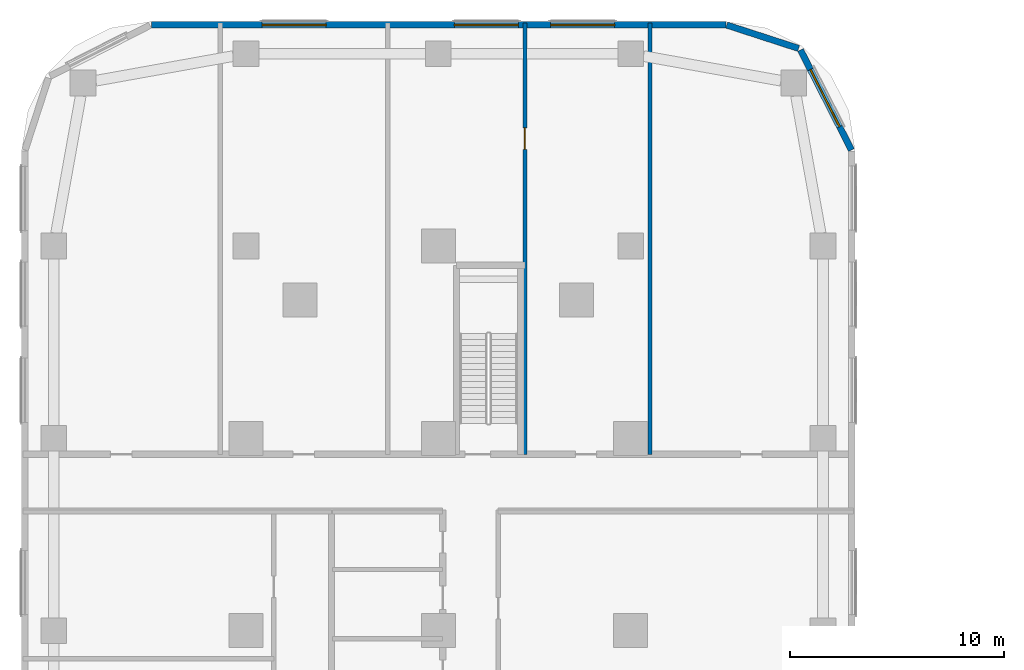
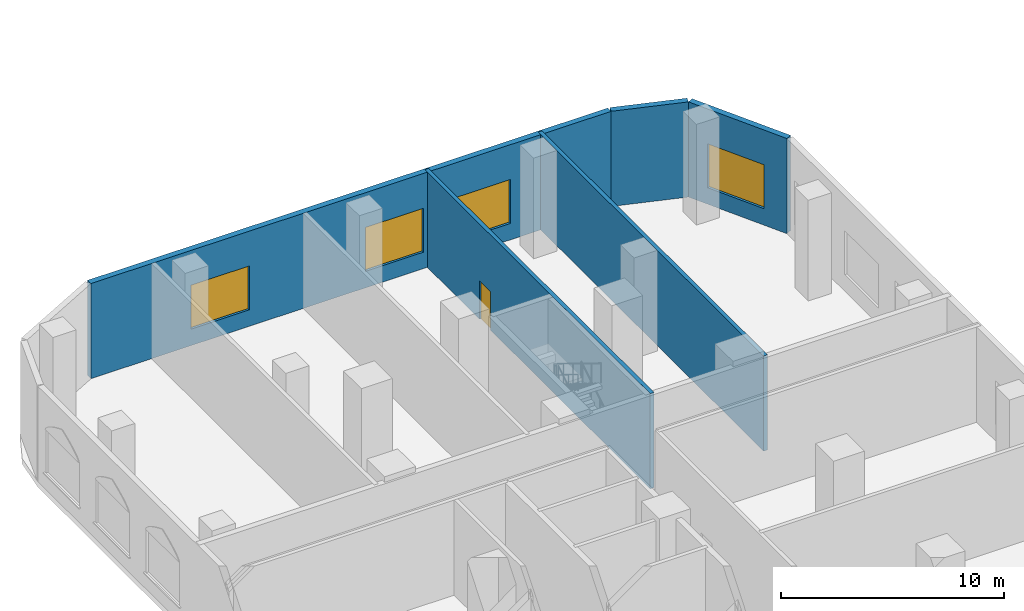
# One storey, part 12 of 31: 5 walls, 4 windows, 1 door, 5 openings.
"""IFC4 building model written with IfcOpenShell, lengths in metres."""

import ifcopenshell
import ifcopenshell.guid

model = None  # the IFC model being written
_history = None  # IfcOwnerHistory: only IFC2X3 demands one
_inside = {}  # id of a spatial element -> (the spatial element, [elements in it])
_under = {}  # id of a project, library or spatial element -> (it, [spatial elements below it])
_declared = {}  # id of a project -> (the project, [libraries it declares])
_typed = {}  # id of a type object -> (the type object, [elements of that type])
_made_of = {}  # id of a material, layer set ... -> (it, [elements and type objects made of it])


def new_model(schema):
    """Start an empty IFC model of exactly this schema.

    Asked for "IFC4X3", IfcOpenShell would pick the latest addendum, in which some entities
    have other attributes; the version numbers below select the first issue.
    IFC2X3 requires an IfcOwnerHistory on every rooted entity: one is made here for all.
    """
    global model, _history
    if schema == "IFC4X3":
        model = ifcopenshell.file(schema_version=(4, 3, 0, 0))
    else:
        model = ifcopenshell.file(schema=schema)
    _inside.clear()
    _under.clear()
    _declared.clear()
    _typed.clear()
    _made_of.clear()
    _history = None
    if model.schema == "IFC2X3":
        org = make("IfcOrganization", Name="unknown")
        user = make(
            "IfcPersonAndOrganization",
            ThePerson=make("IfcPerson", FamilyName="unknown"),
            TheOrganization=org,
        )
        app = make(
            "IfcApplication",
            ApplicationDeveloper=org,
            Version="unknown",
            ApplicationFullName="unknown",
            ApplicationIdentifier="unknown",
        )
        _history = make(
            "IfcOwnerHistory",
            OwningUser=user,
            OwningApplication=app,
            ChangeAction="ADDED",
            CreationDate=0,
        )
    return model


def make(cls, **values):
    """One entity of the class cls with the attributes given. An attribute that is None is left unset."""
    return model.create_entity(
        cls, **{name: value for name, value in values.items() if value is not None}
    )


def rooted(cls, **values):
    """An entity with a GlobalId (a new one), such as an element, a storey or a relation."""
    return make(cls, GlobalId=ifcopenshell.guid.new(), OwnerHistory=_history, **values)


def si_unit(unit_type, name, prefix=None):
    """IfcSIUnit, for example si_unit("LENGTHUNIT", "METRE", prefix="MILLI")."""
    return make("IfcSIUnit", UnitType=unit_type, Prefix=prefix, Name=name)


def assignment(units):
    """IfcUnitAssignment: the units of a project."""
    return None if units is None else make("IfcUnitAssignment", Units=units)


def point(xyz):
    """IfcCartesianPoint."""
    return None if xyz is None else make("IfcCartesianPoint", Coordinates=xyz)


def direction(xyz):
    """IfcDirection."""
    return None if xyz is None else make("IfcDirection", DirectionRatios=xyz)


def frame(location, z_axis=None, x_axis=None):
    """IfcAxis2Placement3D, a coordinate frame: its origin and axes. An axis left out is left unset."""
    return make(
        "IfcAxis2Placement3D",
        Location=point(location),
        Axis=direction(z_axis),
        RefDirection=direction(x_axis),
    )


def frame_2d(location, x_axis=None):
    """IfcAxis2Placement2D, a coordinate frame in the plane: its origin and x axis."""
    return make(
        "IfcAxis2Placement2D", Location=point(location), RefDirection=direction(x_axis)
    )


def origin():
    """The frame at (0, 0, 0) with its axes left unset."""
    return frame((0.0, 0.0, 0.0))


def place(relative_to, where):
    """IfcLocalPlacement: puts the frame where relative to a parent placement (None: the world)."""
    return make(
        "IfcLocalPlacement", PlacementRelTo=relative_to, RelativePlacement=where
    )


def context(
    kind, dimensions, precision=None, world=None, true_north=None, identifier=None
):
    """IfcGeometricRepresentationContext, for example the 3D "Model" context."""
    return make(
        "IfcGeometricRepresentationContext",
        ContextIdentifier=identifier,
        ContextType=kind,
        CoordinateSpaceDimension=dimensions,
        Precision=precision,
        WorldCoordinateSystem=world,
        TrueNorth=true_north,
    )


def subcontext(parent, identifier, kind, view, scale=None):
    """IfcGeometricRepresentationSubContext, for example "Body" below "Model"."""
    return make(
        "IfcGeometricRepresentationSubContext",
        ContextIdentifier=identifier,
        ContextType=kind,
        ParentContext=parent,
        TargetScale=scale,
        TargetView=view,
    )


def project(units=None, contexts=None):
    """IfcProject with its units and contexts."""
    return rooted(
        "IfcProject",
        Name="project",
        RepresentationContexts=contexts,
        UnitsInContext=assignment(units),
    )


def spatial(cls, under=None, at=None, **own):
    """A site, building, storey or space (cls), placed at a placement, below another one or the project."""
    s = rooted(cls, ObjectPlacement=at, **own)
    if under is not None:
        _under.setdefault(under.id(), (under, []))[1].append(s)
    return s


def profile(cls, at=None, kind="AREA", **sizes):
    """A parametric profile (cls). Its sizes go by their IFC names, for example OverallWidth=200.0."""
    return make(cls, ProfileType=kind, Position=at, **sizes)


def rectangle(**sizes):
    """IfcRectangleProfileDef."""
    return profile("IfcRectangleProfileDef", **sizes)


def extrude(swept, where, along, depth):
    """IfcExtrudedAreaSolid: the profile swept, set in the frame where, extruded along a direction by depth."""
    return make(
        "IfcExtrudedAreaSolid",
        SweptArea=swept,
        Position=where,
        ExtrudedDirection=direction(along),
        Depth=depth,
    )


def shape(context_of_items, identifier, shape_type, items):
    """IfcShapeRepresentation: the items that make up one representation, for example the "Body"."""
    return make(
        "IfcShapeRepresentation",
        ContextOfItems=context_of_items,
        RepresentationIdentifier=identifier,
        RepresentationType=shape_type,
        Items=items,
    )


def material(Name=None, Category=None):
    """IfcMaterial."""
    return make("IfcMaterial", Name=Name, Category=Category)


def layer(
    of_material, thickness, ventilated=None, Name=None, Category=None, Priority=None
):
    """IfcMaterialLayer: one layer of a wall or slab, of a material (None: an air gap)."""
    return make(
        "IfcMaterialLayer",
        Material=of_material,
        LayerThickness=thickness,
        IsVentilated=ventilated,
        Name=Name,
        Category=Category,
        Priority=Priority,
    )


def layer_set(layers, Name=None):
    """IfcMaterialLayerSet."""
    return make("IfcMaterialLayerSet", MaterialLayers=layers, LayerSetName=Name)


def made_of(thing, what):
    """Note that an element or type object is made of a material, layer set ...; save() writes the relation."""
    if what is not None:
        _made_of.setdefault(what.id(), (what, []))[1].append(thing)
    return thing


def type_object(cls, material=None, **own):
    """A type object (cls), such as IfcWallType, which elements share."""
    return made_of(rooted(cls, **own), material)


def element(
    cls,
    number,
    at=None,
    inside=None,
    cuts=None,
    type_object=None,
    material=None,
    context=None,
    identifier="Body",
    shape_type=None,
    held_by="IfcProductDefinitionShape",
    body=None,
    shapes=None,
    **own,
):
    """One element of the class cls, such as IfcWall. Its Tag is "e" and its number.

    at: its placement. inside: the storey or other place that contains it. cuts: it is an
    opening in that element (IfcRelVoidsElement). A single representation is given by context,
    identifier, shape_type and body (its items); several are given by shapes. held_by: the class
    of the entity that holds the representations. save() writes the other relations.
    """
    e = rooted(cls, Tag="e%d" % number, ObjectPlacement=at, **own)
    if body is not None:
        shapes = [shape(context, identifier, shape_type, body)]
    if shapes is not None:
        e.Representation = make(held_by, Representations=shapes)
    if inside is not None:
        _inside.setdefault(inside.id(), (inside, []))[1].append(e)
    if cuts is not None:
        rooted(
            "IfcRelVoidsElement", RelatingBuildingElement=cuts, RelatedOpeningElement=e
        )
    if type_object is not None:
        _typed.setdefault(type_object.id(), (type_object, []))[1].append(e)
    return made_of(e, material)


def fill(opening, filler):
    """IfcRelFillsElement: the door or window that sits in an opening."""
    return rooted(
        "IfcRelFillsElement",
        RelatingOpeningElement=opening,
        RelatedBuildingElement=filler,
    )


def aggregate(whole, parts):
    """IfcRelAggregates: a whole, such as a stair, and the parts it consists of."""
    return rooted("IfcRelAggregates", RelatingObject=whole, RelatedObjects=parts)


def save(model, path):
    """Write the relations noted so far, then the file.

    IfcRelAggregates (storeys below a building ...), IfcRelContainedInSpatialStructure (elements
    in a storey), IfcRelDefinesByType, IfcRelAssociatesMaterial and IfcRelDeclares: one each for
    every whole, place, type object, material and project.
    """
    for whole, parts in _under.values():
        aggregate(whole, parts)
    for where, things in _inside.values():
        rooted(
            "IfcRelContainedInSpatialStructure",
            RelatedElements=things,
            RelatingStructure=where,
        )
    for kind, things in _typed.values():
        rooted("IfcRelDefinesByType", RelatedObjects=things, RelatingType=kind)
    for what, things in _made_of.values():
        rooted("IfcRelAssociatesMaterial", RelatedObjects=things, RelatingMaterial=what)
    for by, libraries in _declared.values():
        rooted("IfcRelDeclares", RelatingContext=by, RelatedDefinitions=libraries)
    model.write(path)


model = new_model("IFC4")

# Units and contexts
model_context = context("Model", 3, precision=1e-05, world=origin(), true_north=direction((0.0, 1.0)))
body_context = subcontext(model_context, "Body", "Model", "MODEL_VIEW")
ifc_project = project(units=[si_unit("LENGTHUNIT", "METRE"), si_unit("AREAUNIT", "SQUARE_METRE"), si_unit("VOLUMEUNIT", "CUBIC_METRE"), si_unit("PLANEANGLEUNIT", "RADIAN"), si_unit("MASSUNIT", "GRAM", prefix="KILO")], contexts=[model_context])

# Site, building, storey
site_placement = place(None, origin())
site = spatial("IfcSite", under=ifc_project, at=site_placement, CompositionType="ELEMENT")
building_placement = place(site_placement, origin())
building = spatial("IfcBuilding", under=site, at=building_placement, Name="Ogive Portal Towers", CompositionType="ELEMENT")
storey_placement = place(building_placement, frame((0.0, 0.0, 8.0)))
storey = spatial("IfcBuildingStorey", under=building, at=storey_placement, Name="L01", CompositionType="ELEMENT", Elevation=8.0)

# Wall, opening, window
ifc_material_1 = material(Name="Limestone cladding on lightweight block wall", Category="masonry")
ifc_layer_1 = layer(ifc_material_1, 0.300048828125)
ifc_layer_set_1 = layer_set([ifc_layer_1], Name="EXTERNAL WALL 300 STONE")
wall_type_1 = type_object("IfcWallType", Name="EXTERNAL WALL 300 STONE", PredefinedType="SOLIDWALL", material=ifc_layer_set_1)
wall_1_placement = place(storey_placement, frame((59.833740234375, 79.99609375, 0.0), z_axis=(0.0, 0.0, 1.0), x_axis=(-0.454006562826, 0.890998339455, 0.0)))
wall_1 = element("IfcWall", 1, at=wall_1_placement, inside=storey, type_object=wall_type_1, Name="A:L01:f12:w0", PredefinedType="SOLIDWALL", context=body_context, shape_type="SweptSolid", body=[
    extrude(rectangle(XDim=5.251708984375, YDim=0.300048828125, at=frame_2d((2.6259765625, 0.0))), origin(), (0.0, 0.0, 1.0), 5.199951171875),
])
opening_1_placement = place(wall_1_placement, frame((1.223876953125, 0.0, 0.89990234375)))
opening_1 = element("IfcOpeningElement", 2, at=opening_1_placement, cuts=wall_1, Name="Opening WN3", PredefinedType="OPENING", context=body_context, shape_type="SweptSolid", body=[
    extrude(rectangle(XDim=3.0, YDim=2.39990234375, at=frame_2d((1.5, 1.199951171875))), frame((0.0, 0.16015625, 0.0), z_axis=(0.0, -1.0, 0.0), x_axis=(1.0, 0.0, 0.0)), (0.0, 0.0, 1.0), 0.320068359375),
])
ifc_material_2 = material(Name="Glass, clear low-iron insulated glazing", Category="glass")
window_type = type_object("IfcWindowType", Name="WINDOW PODIUM 3000x2400", PartitioningType="SINGLE_PANEL", PredefinedType="WINDOW", material=ifc_material_2)
window_1_placement = place(opening_1_placement, origin())
window_1 = element("IfcWindow", 3, at=window_1_placement, inside=storey, type_object=window_type, Name="A:L01:f12:w0:o0", OverallHeight=2.39990234375, OverallWidth=3.0, PartitioningType="SINGLE_PANEL", PredefinedType="WINDOW", context=body_context, shape_type="SweptSolid", body=[
    extrude(rectangle(XDim=3.0, YDim=2.39990234375, at=frame_2d((1.5, 1.199951171875))), frame((0.0, 0.030029296875, 0.0), z_axis=(0.0, -1.0, 0.0), x_axis=(1.0, 0.0, 0.0)), (0.0, 0.0, 1.0), 0.06005859375),
])
fill(opening_1, window_1)

# Wall
wall_2_placement = place(storey_placement, frame((57.362060546875, 84.749755859375, 0.0), z_axis=(0.0, 0.0, 1.0), x_axis=(-0.951038127287, 0.309073584194, 0.0)))
element("IfcWall", 4, at=wall_2_placement, inside=storey, type_object=wall_type_1, Name="A:L01:f13:w0", PredefinedType="SOLIDWALL", context=body_context, shape_type="SweptSolid", body=[
    extrude(rectangle(XDim=3.536376953125, YDim=0.300048828125, at=frame_2d((1.76806640625, 0.0))), origin(), (0.0, 0.0, 1.0), 5.199951171875),
])

# Wall, openings, windows
wall_3_placement = place(storey_placement, frame((53.952392578125, 85.85009765625, 0.0), z_axis=(0.0, 0.0, 1.0), x_axis=(-1.0, 0.0, 0.0)))
wall_3 = element("IfcWall", 5, at=wall_3_placement, inside=storey, type_object=wall_type_1, Name="A:L01:f14:w0", PredefinedType="SOLIDWALL", context=body_context, shape_type="SweptSolid", body=[
    extrude(rectangle(XDim=26.88037109375, YDim=0.300048828125, at=frame_2d((13.440185546875, 0.0))), origin(), (0.0, 0.0, 1.0), 5.199951171875),
])
opening_2_placement = place(wall_3_placement, frame((5.202392578125, 0.0, 0.89990234375)))
opening_2 = element("IfcOpeningElement", 6, at=opening_2_placement, cuts=wall_3, Name="Opening WN3", PredefinedType="OPENING", context=body_context, shape_type="SweptSolid", body=[
    extrude(rectangle(XDim=3.0, YDim=2.39990234375, at=frame_2d((1.5, 1.199951171875))), frame((0.0, 0.16015625, 0.0), z_axis=(0.0, -1.0, 0.0), x_axis=(1.0, 0.0, 0.0)), (0.0, 0.0, 1.0), 0.320068359375),
])
opening_3_placement = place(wall_3_placement, frame((9.702392578125, 0.0, 0.89990234375)))
opening_3 = element("IfcOpeningElement", 7, at=opening_3_placement, cuts=wall_3, Name="Opening WN3", PredefinedType="OPENING", context=body_context, shape_type="SweptSolid", body=[
    extrude(rectangle(XDim=3.0, YDim=2.39990234375, at=frame_2d((1.5, 1.199951171875))), frame((0.0, 0.16015625, 0.0), z_axis=(0.0, -1.0, 0.0), x_axis=(1.0, 0.0, 0.0)), (0.0, 0.0, 1.0), 0.320068359375),
])
opening_4_placement = place(wall_3_placement, frame((18.702392578125, 0.0, 0.89990234375)))
opening_4 = element("IfcOpeningElement", 8, at=opening_4_placement, cuts=wall_3, Name="Opening WN3", PredefinedType="OPENING", context=body_context, shape_type="SweptSolid", body=[
    extrude(rectangle(XDim=3.0, YDim=2.39990234375, at=frame_2d((1.5, 1.199951171875))), frame((0.0, 0.16015625, 0.0), z_axis=(0.0, -1.0, 0.0), x_axis=(1.0, 0.0, 0.0)), (0.0, 0.0, 1.0), 0.320068359375),
])
window_2_placement = place(opening_2_placement, origin())
window_2 = element("IfcWindow", 9, at=window_2_placement, inside=storey, type_object=window_type, Name="A:L01:f14:w0:o1a", OverallHeight=2.39990234375, OverallWidth=3.0, PartitioningType="SINGLE_PANEL", PredefinedType="WINDOW", context=body_context, shape_type="SweptSolid", body=[
    extrude(rectangle(XDim=3.0, YDim=2.39990234375, at=frame_2d((1.5, 1.199951171875))), frame((0.0, 0.030029296875, 0.0), z_axis=(0.0, -1.0, 0.0), x_axis=(1.0, 0.0, 0.0)), (0.0, 0.0, 1.0), 0.06005859375),
])
fill(opening_2, window_2)
window_3_placement = place(opening_3_placement, origin())
window_3 = element("IfcWindow", 10, at=window_3_placement, inside=storey, type_object=window_type, Name="A:L01:f14:w0:o1b", OverallHeight=2.39990234375, OverallWidth=3.0, PartitioningType="SINGLE_PANEL", PredefinedType="WINDOW", context=body_context, shape_type="SweptSolid", body=[
    extrude(rectangle(XDim=3.0, YDim=2.39990234375, at=frame_2d((1.5, 1.199951171875))), frame((0.0, 0.030029296875, 0.0), z_axis=(0.0, -1.0, 0.0), x_axis=(1.0, 0.0, 0.0)), (0.0, 0.0, 1.0), 0.06005859375),
])
fill(opening_3, window_3)
window_4_placement = place(opening_4_placement, origin())
window_4 = element("IfcWindow", 11, at=window_4_placement, inside=storey, type_object=window_type, Name="A:L01:f14:w0:o2b", OverallHeight=2.39990234375, OverallWidth=3.0, PartitioningType="SINGLE_PANEL", PredefinedType="WINDOW", context=body_context, shape_type="SweptSolid", body=[
    extrude(rectangle(XDim=3.0, YDim=2.39990234375, at=frame_2d((1.5, 1.199951171875))), frame((0.0, 0.030029296875, 0.0), z_axis=(0.0, -1.0, 0.0), x_axis=(1.0, 0.0, 0.0)), (0.0, 0.0, 1.0), 0.06005859375),
])
fill(opening_4, window_4)

# Wall, opening, door
ifc_material_3 = material(Name="Gypsum board partition on steel studs", Category="steel")
ifc_layer_2 = layer(ifc_material_3, 0.199951171875)
ifc_layer_set_2 = layer_set([ifc_layer_2], Name="WT-PART-200-EI 60")
wall_type_2 = type_object("IfcWallType", Name="WT-PART-200-EI 60", PredefinedType="PARTITIONING", material=ifc_layer_set_2)
wall_4_placement = place(storey_placement, frame((44.550048828125, 65.75, 0.0), z_axis=(0.0, 0.0, 1.0), x_axis=(0.0, 1.0, 0.0)))
wall_4 = element("IfcWall", 12, at=wall_4_placement, inside=storey, type_object=wall_type_2, Name="Wall L01:w075", PredefinedType="PARTITIONING", context=body_context, shape_type="SweptSolid", body=[
    extrude(rectangle(XDim=20.179931640625, YDim=0.199951171875, at=frame_2d((10.08984375, 0.0))), origin(), (0.0, 0.0, 1.0), 5.199951171875),
])
opening_5_placement = place(wall_4_placement, frame((14.280029296875, 0.0, 0.0)))
opening_5 = element("IfcOpeningElement", 13, at=opening_5_placement, cuts=wall_4, Name="Opening P01-007", PredefinedType="OPENING", context=body_context, shape_type="SweptSolid", body=[
    extrude(rectangle(XDim=1.0, YDim=2.10009765625, at=frame_2d((0.5, 1.050048828125))), frame((0.0, 0.10986328125, 0.0), z_axis=(0.0, -1.0, 0.0), x_axis=(1.0, 0.0, 0.0)), (0.0, 0.0, 1.0), 0.219970703125),
])
ifc_material_4 = material(Name="Steel fire door", Category="steel")
door_type = type_object("IfcDoorType", Name="DT-SWING-1000x2100-FD60S", OperationType="SINGLE_SWING_LEFT", PredefinedType="DOOR", material=ifc_material_4)
door_placement = place(opening_5_placement, origin())
door = element("IfcDoor", 14, at=door_placement, inside=storey, type_object=door_type, Name="Door P01-007", OperationType="SINGLE_SWING_LEFT", OverallHeight=2.10009765625, OverallWidth=1.0, PredefinedType="DOOR", context=body_context, shape_type="SweptSolid", body=[
    extrude(rectangle(XDim=1.0, YDim=2.10009765625, at=frame_2d((0.5, 1.050048828125))), frame((0.0, 0.02490234375, 0.0), z_axis=(0.0, -1.0, 0.0), x_axis=(1.0, 0.0, 0.0)), (0.0, 0.0, 1.0), 0.050048828125),
])
fill(opening_5, door)

# Wall
wall_5_placement = place(storey_placement, frame((50.409912109375, 65.75, 0.0), z_axis=(0.0, 0.0, 1.0), x_axis=(0.0, 1.0, 0.0)))
element("IfcWall", 15, at=wall_5_placement, inside=storey, type_object=wall_type_2, Name="Wall L01:w076", PredefinedType="PARTITIONING", context=body_context, shape_type="SweptSolid", body=[
    extrude(rectangle(XDim=20.179931640625, YDim=0.199951171875, at=frame_2d((10.08984375, 0.0))), origin(), (0.0, 0.0, 1.0), 5.199951171875),
])

save(model, "model.ifc")
